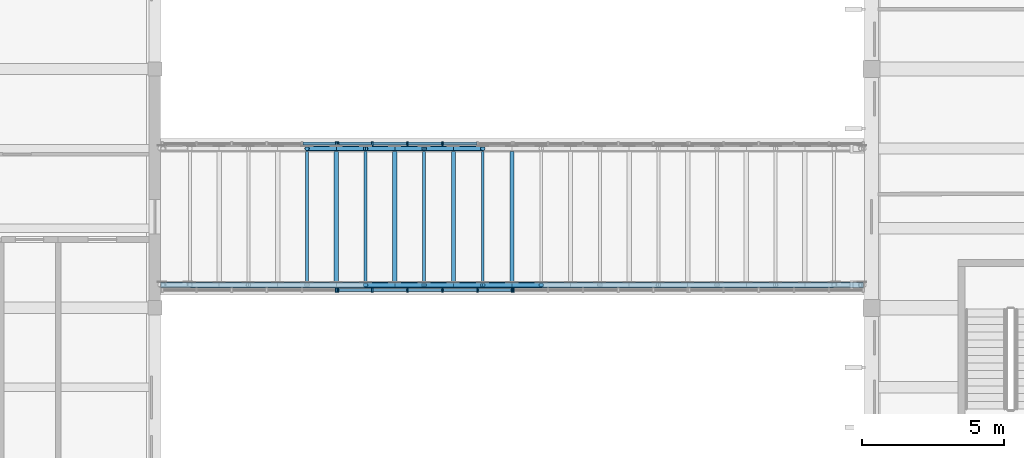
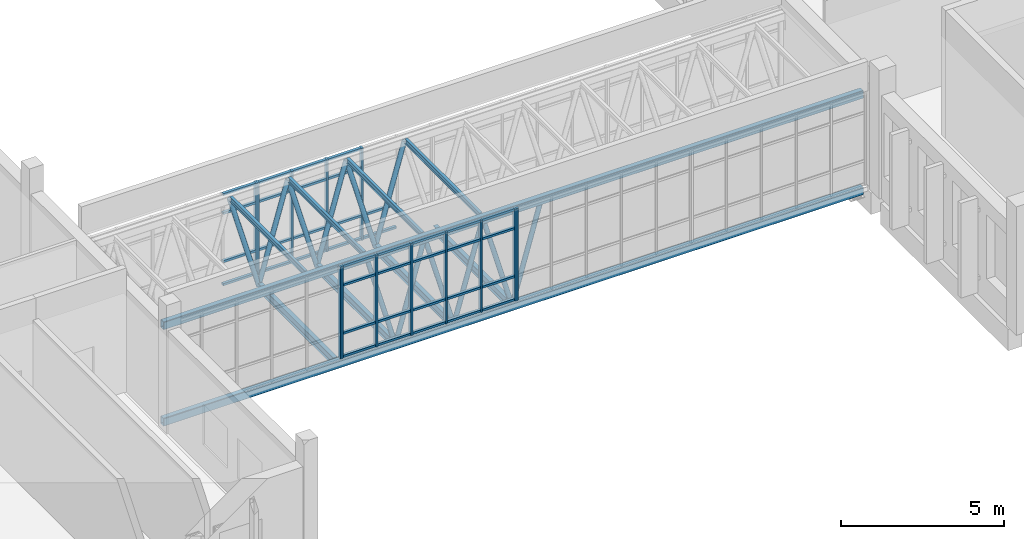
# One storey, part 11 of 119: 65 members, 8 beams, 5 elements without a shape of their own.
"""IFC4 building model written with IfcOpenShell, lengths in metres."""

from ifc_helpers import new_model, si_unit, direction, frame, origin, origin_2d, place, context, subcontext, project, spatial, rectangle, hollow_rectangle, hollow_circle, i_section, extrude, material, layer, layer_set, material_profile, profile_set, type_object, element, aggregate, save


model = new_model("IFC4")

# Units and contexts
model_context = context("Model", 3, precision=1e-05, world=origin(), true_north=direction((0.0, 1.0)))
body_context = subcontext(model_context, "Body", "Model", "MODEL_VIEW")
ifc_project = project(units=[si_unit("LENGTHUNIT", "METRE"), si_unit("AREAUNIT", "SQUARE_METRE"), si_unit("VOLUMEUNIT", "CUBIC_METRE"), si_unit("PLANEANGLEUNIT", "RADIAN"), si_unit("MASSUNIT", "GRAM", prefix="KILO")], contexts=[model_context])

# Site, building, storey
site_placement = place(None, origin())
site = spatial("IfcSite", under=ifc_project, at=site_placement, CompositionType="ELEMENT")
building_placement = place(site_placement, origin())
building = spatial("IfcBuilding", under=site, at=building_placement, Name="Larchfold Concert Hall", CompositionType="ELEMENT")
storey_placement = place(building_placement, frame((0.0, 0.0, 4.800048828125)))
storey = spatial("IfcBuildingStorey", under=building, at=storey_placement, Name="L01", CompositionType="ELEMENT", Elevation=4.800048828125)

# Curtain wall, member
ifc_material_1 = material(Name="Anodised graphite aluminium curtain wall", Category="aluminium")
ifc_layer = layer(ifc_material_1, 0.14990234375)
ifc_layer_set = layer_set([ifc_layer], Name="Anodised graphite aluminium curtain wall")
curtain_wall_type = type_object("IfcCurtainWallType", Name="Curtain wall WG", PredefinedType="NOTDEFINED", material=ifc_layer_set)
curtain_wall_1_placement = place(storey_placement, origin())
curtain_wall_1 = element("IfcCurtainWall", 1, at=curtain_wall_1_placement, inside=storey, type_object=curtain_wall_type, Name="Curtain wall CW0303", PredefinedType="NOTDEFINED")
ifc_material_2 = material(Name="Anodised graphite aluminium mullion", Category="aluminium")
ifc_material_profile_1 = material_profile(ifc_material_2, rectangle(XDim=0.14990234375, YDim=0.06005859375, at=origin_2d()))
ifc_profile_set_1 = profile_set([ifc_material_profile_1], Name="Anodised graphite aluminium mullion")
member_type_1 = type_object("IfcMemberType", Name="Aluminium mullion 60x150", PredefinedType="MULLION", material=ifc_profile_set_1)
member_1_placement = place(storey_placement, frame((65.778564453125, 9.626708984375, 0.0), z_axis=(0.0, 0.0, 1.0), x_axis=(0.0, 1.0, 0.0)))
member_1 = element("IfcMember", 2, at=member_1_placement, type_object=member_type_1, Name="CW0303 mullion 6", PredefinedType="MULLION", context=body_context, shape_type="SweptSolid", body=[
    extrude(rectangle(XDim=0.14990234375, YDim=0.06005859375, at=origin_2d()), origin(), (0.0, 0.0, 1.0), 3.43994140625),
])
aggregate(curtain_wall_1, [member_1])

# Curtain wall, members
curtain_wall_2_placement = place(storey_placement, origin())
curtain_wall_2 = element("IfcCurtainWall", 3, at=curtain_wall_2_placement, inside=storey, type_object=curtain_wall_type, Name="Curtain wall CW0304", PredefinedType="NOTDEFINED")
member_2_placement = place(storey_placement, frame((65.838623046875, 9.626708984375, 0.0), z_axis=(0.0, 0.0, 1.0), x_axis=(0.0, 1.0, 0.0)))
member_2 = element("IfcMember", 4, at=member_2_placement, type_object=member_type_1, Name="CW0304 mullion 1", PredefinedType="MULLION", context=body_context, shape_type="SweptSolid", body=[
    extrude(rectangle(XDim=0.14990234375, YDim=0.06005859375, at=origin_2d()), origin(), (0.0, 0.0, 1.0), 3.43994140625),
])
member_3_placement = place(storey_placement, frame((67.04443359375, 9.626708984375, 0.0), z_axis=(0.0, 0.0, 1.0), x_axis=(0.0, 1.0, 0.0)))
member_3 = element("IfcMember", 5, at=member_3_placement, type_object=member_type_1, Name="CW0304 mullion 2", PredefinedType="MULLION", context=body_context, shape_type="SweptSolid", body=[
    extrude(rectangle(XDim=0.14990234375, YDim=0.06005859375, at=origin_2d()), origin(), (0.0, 0.0, 1.0), 3.43994140625),
])
member_4_placement = place(storey_placement, frame((68.280029296875, 9.626708984375, 0.0), z_axis=(0.0, 0.0, 1.0), x_axis=(0.0, 1.0, 0.0)))
member_4 = element("IfcMember", 6, at=member_4_placement, type_object=member_type_1, Name="CW0304 mullion 3", PredefinedType="MULLION", context=body_context, shape_type="SweptSolid", body=[
    extrude(rectangle(XDim=0.14990234375, YDim=0.06005859375, at=origin_2d()), origin(), (0.0, 0.0, 1.0), 3.43994140625),
])
member_5_placement = place(storey_placement, frame((69.515869140625, 9.626708984375, 0.0), z_axis=(0.0, 0.0, 1.0), x_axis=(0.0, 1.0, 0.0)))
member_5 = element("IfcMember", 7, at=member_5_placement, type_object=member_type_1, Name="CW0304 mullion 4", PredefinedType="MULLION", context=body_context, shape_type="SweptSolid", body=[
    extrude(rectangle(XDim=0.14990234375, YDim=0.06005859375, at=origin_2d()), origin(), (0.0, 0.0, 1.0), 3.43994140625),
])
member_6_placement = place(storey_placement, frame((70.75146484375, 9.626708984375, 0.0), z_axis=(0.0, 0.0, 1.0), x_axis=(0.0, 1.0, 0.0)))
member_6 = element("IfcMember", 8, at=member_6_placement, type_object=member_type_1, Name="CW0304 mullion 5", PredefinedType="MULLION", context=body_context, shape_type="SweptSolid", body=[
    extrude(rectangle(XDim=0.14990234375, YDim=0.06005859375, at=origin_2d()), origin(), (0.0, 0.0, 1.0), 3.43994140625),
])
member_7_placement = place(storey_placement, frame((71.957275390625, 9.626708984375, 0.0), z_axis=(0.0, 0.0, 1.0), x_axis=(0.0, 1.0, 0.0)))
member_7 = element("IfcMember", 9, at=member_7_placement, type_object=member_type_1, Name="CW0304 mullion 6", PredefinedType="MULLION", context=body_context, shape_type="SweptSolid", body=[
    extrude(rectangle(XDim=0.14990234375, YDim=0.06005859375, at=origin_2d()), origin(), (0.0, 0.0, 1.0), 3.43994140625),
])

# Curtain wall, member
curtain_wall_3_placement = place(storey_placement, origin())
curtain_wall_3 = element("IfcCurtainWall", 10, at=curtain_wall_3_placement, inside=storey, type_object=curtain_wall_type, Name="Curtain wall CW0305", PredefinedType="NOTDEFINED")
member_8_placement = place(storey_placement, frame((72.017333984375, 9.626708984375, 0.0), z_axis=(0.0, 0.0, 1.0), x_axis=(0.0, 1.0, 0.0)))
member_8 = element("IfcMember", 11, at=member_8_placement, type_object=member_type_1, Name="CW0305 mullion 1", PredefinedType="MULLION", context=body_context, shape_type="SweptSolid", body=[
    extrude(rectangle(XDim=0.14990234375, YDim=0.06005859375, at=origin_2d()), origin(), (0.0, 0.0, 1.0), 3.43994140625),
])
aggregate(curtain_wall_3, [member_8])

curtain_wall_4_placement = place(storey_placement, origin())
curtain_wall_4 = element("IfcCurtainWall", 12, at=curtain_wall_4_placement, inside=storey, type_object=curtain_wall_type, Name="Curtain wall CW0307", PredefinedType="NOTDEFINED")
member_9_placement = place(storey_placement, frame((65.778564453125, 14.7734375, 0.0), z_axis=(0.0, 0.0, 1.0), x_axis=(0.0, 1.0, 0.0)))
member_9 = element("IfcMember", 13, at=member_9_placement, type_object=member_type_1, Name="CW0307 mullion 6", PredefinedType="MULLION", context=body_context, shape_type="SweptSolid", body=[
    extrude(rectangle(XDim=0.14990234375, YDim=0.06005859375, at=origin_2d()), origin(), (0.0, 0.0, 1.0), 3.43994140625),
])

# Curtain wall, members
curtain_wall_5_placement = place(storey_placement, origin())
curtain_wall_5 = element("IfcCurtainWall", 14, at=curtain_wall_5_placement, inside=storey, type_object=curtain_wall_type, Name="Curtain wall CW0308", PredefinedType="NOTDEFINED")
member_10_placement = place(storey_placement, frame((65.838623046875, 14.7734375, 0.0), z_axis=(0.0, 0.0, 1.0), x_axis=(0.0, 1.0, 0.0)))
member_10 = element("IfcMember", 15, at=member_10_placement, type_object=member_type_1, Name="CW0308 mullion 1", PredefinedType="MULLION", context=body_context, shape_type="SweptSolid", body=[
    extrude(rectangle(XDim=0.14990234375, YDim=0.06005859375, at=origin_2d()), origin(), (0.0, 0.0, 1.0), 3.43994140625),
])
member_11_placement = place(storey_placement, frame((67.04443359375, 14.7734375, 0.0), z_axis=(0.0, 0.0, 1.0), x_axis=(0.0, 1.0, 0.0)))
member_11 = element("IfcMember", 16, at=member_11_placement, type_object=member_type_1, Name="CW0308 mullion 2", PredefinedType="MULLION", context=body_context, shape_type="SweptSolid", body=[
    extrude(rectangle(XDim=0.14990234375, YDim=0.06005859375, at=origin_2d()), origin(), (0.0, 0.0, 1.0), 3.43994140625),
])
member_12_placement = place(storey_placement, frame((68.280029296875, 14.7734375, 0.0), z_axis=(0.0, 0.0, 1.0), x_axis=(0.0, 1.0, 0.0)))
member_12 = element("IfcMember", 17, at=member_12_placement, type_object=member_type_1, Name="CW0308 mullion 3", PredefinedType="MULLION", context=body_context, shape_type="SweptSolid", body=[
    extrude(rectangle(XDim=0.14990234375, YDim=0.06005859375, at=origin_2d()), origin(), (0.0, 0.0, 1.0), 3.43994140625),
])
member_13_placement = place(storey_placement, frame((69.515869140625, 14.7734375, 0.0), z_axis=(0.0, 0.0, 1.0), x_axis=(0.0, 1.0, 0.0)))
member_13 = element("IfcMember", 18, at=member_13_placement, type_object=member_type_1, Name="CW0308 mullion 4", PredefinedType="MULLION", context=body_context, shape_type="SweptSolid", body=[
    extrude(rectangle(XDim=0.14990234375, YDim=0.06005859375, at=origin_2d()), origin(), (0.0, 0.0, 1.0), 3.43994140625),
])

# Member
ifc_material_3 = material(Name="Anodised graphite aluminium transom", Category="aluminium")
ifc_material_profile_2 = material_profile(ifc_material_3, rectangle(XDim=0.10009765625, YDim=0.080078125, at=origin_2d()))
ifc_profile_set_2 = profile_set([ifc_material_profile_2], Name="Anodised graphite aluminium transom")
member_type_2 = type_object("IfcMemberType", Name="Aluminium transom 80x100", PredefinedType="USERDEFINED", material=ifc_profile_set_2)
member_14_placement = place(storey_placement, frame((65.86865234375, 9.626708984375, 0.0400390625), z_axis=(1.0, 0.0, 0.0), x_axis=(0.0, 1.0, 0.0)))
member_14 = element("IfcMember", 19, at=member_14_placement, type_object=member_type_2, Name="CW0304 transom 1.1", ObjectType="TRANSOM", PredefinedType="USERDEFINED", context=body_context, shape_type="SweptSolid", body=[
    extrude(rectangle(XDim=0.10009765625, YDim=0.080078125, at=origin_2d()), origin(), (0.0, 0.0, 1.0), 1.145751953125),
])

member_15_placement = place(storey_placement, frame((65.86865234375, 9.626708984375, 0.89990234375), z_axis=(1.0, 0.0, 0.0), x_axis=(0.0, 1.0, 0.0)))
member_15 = element("IfcMember", 20, at=member_15_placement, type_object=member_type_2, Name="CW0304 transom 1.2", ObjectType="TRANSOM", PredefinedType="USERDEFINED", context=body_context, shape_type="SweptSolid", body=[
    extrude(rectangle(XDim=0.10009765625, YDim=0.080078125, at=origin_2d()), origin(), (0.0, 0.0, 1.0), 1.145751953125),
])

member_16_placement = place(storey_placement, frame((65.86865234375, 9.626708984375, 2.699951171875), z_axis=(1.0, 0.0, 0.0), x_axis=(0.0, 1.0, 0.0)))
member_16 = element("IfcMember", 21, at=member_16_placement, type_object=member_type_2, Name="CW0304 transom 1.3", ObjectType="TRANSOM", PredefinedType="USERDEFINED", context=body_context, shape_type="SweptSolid", body=[
    extrude(rectangle(XDim=0.10009765625, YDim=0.080078125, at=origin_2d()), origin(), (0.0, 0.0, 1.0), 1.145751953125),
])

member_17_placement = place(storey_placement, frame((65.86865234375, 9.626708984375, 3.39990234375), z_axis=(1.0, 0.0, 0.0), x_axis=(0.0, 1.0, 0.0)))
member_17 = element("IfcMember", 22, at=member_17_placement, type_object=member_type_2, Name="CW0304 transom 1.4", ObjectType="TRANSOM", PredefinedType="USERDEFINED", context=body_context, shape_type="SweptSolid", body=[
    extrude(rectangle(XDim=0.10009765625, YDim=0.080078125, at=origin_2d()), origin(), (0.0, 0.0, 1.0), 1.145751953125),
])

member_18_placement = place(storey_placement, frame((67.07421875, 9.626708984375, 0.0400390625), z_axis=(1.0, 0.0, 0.0), x_axis=(0.0, 1.0, 0.0)))
member_18 = element("IfcMember", 23, at=member_18_placement, type_object=member_type_2, Name="CW0304 transom 2.1", ObjectType="TRANSOM", PredefinedType="USERDEFINED", context=body_context, shape_type="SweptSolid", body=[
    extrude(rectangle(XDim=0.10009765625, YDim=0.080078125, at=origin_2d()), origin(), (0.0, 0.0, 1.0), 1.17578125),
])

member_19_placement = place(storey_placement, frame((67.07421875, 9.626708984375, 0.89990234375), z_axis=(1.0, 0.0, 0.0), x_axis=(0.0, 1.0, 0.0)))
member_19 = element("IfcMember", 24, at=member_19_placement, type_object=member_type_2, Name="CW0304 transom 2.2", ObjectType="TRANSOM", PredefinedType="USERDEFINED", context=body_context, shape_type="SweptSolid", body=[
    extrude(rectangle(XDim=0.10009765625, YDim=0.080078125, at=origin_2d()), origin(), (0.0, 0.0, 1.0), 1.17578125),
])

member_20_placement = place(storey_placement, frame((67.07421875, 9.626708984375, 2.699951171875), z_axis=(1.0, 0.0, 0.0), x_axis=(0.0, 1.0, 0.0)))
member_20 = element("IfcMember", 25, at=member_20_placement, type_object=member_type_2, Name="CW0304 transom 2.3", ObjectType="TRANSOM", PredefinedType="USERDEFINED", context=body_context, shape_type="SweptSolid", body=[
    extrude(rectangle(XDim=0.10009765625, YDim=0.080078125, at=origin_2d()), origin(), (0.0, 0.0, 1.0), 1.17578125),
])

member_21_placement = place(storey_placement, frame((67.07421875, 9.626708984375, 3.39990234375), z_axis=(1.0, 0.0, 0.0), x_axis=(0.0, 1.0, 0.0)))
member_21 = element("IfcMember", 26, at=member_21_placement, type_object=member_type_2, Name="CW0304 transom 2.4", ObjectType="TRANSOM", PredefinedType="USERDEFINED", context=body_context, shape_type="SweptSolid", body=[
    extrude(rectangle(XDim=0.10009765625, YDim=0.080078125, at=origin_2d()), origin(), (0.0, 0.0, 1.0), 1.17578125),
])

member_22_placement = place(storey_placement, frame((68.31005859375, 9.626708984375, 0.0400390625), z_axis=(1.0, 0.0, 0.0), x_axis=(0.0, 1.0, 0.0)))
member_22 = element("IfcMember", 27, at=member_22_placement, type_object=member_type_2, Name="CW0304 transom 3.1", ObjectType="TRANSOM", PredefinedType="USERDEFINED", context=body_context, shape_type="SweptSolid", body=[
    extrude(rectangle(XDim=0.10009765625, YDim=0.080078125, at=origin_2d()), origin(), (0.0, 0.0, 1.0), 1.17578125),
])

member_23_placement = place(storey_placement, frame((68.31005859375, 9.626708984375, 0.89990234375), z_axis=(1.0, 0.0, 0.0), x_axis=(0.0, 1.0, 0.0)))
member_23 = element("IfcMember", 28, at=member_23_placement, type_object=member_type_2, Name="CW0304 transom 3.2", ObjectType="TRANSOM", PredefinedType="USERDEFINED", context=body_context, shape_type="SweptSolid", body=[
    extrude(rectangle(XDim=0.10009765625, YDim=0.080078125, at=origin_2d()), origin(), (0.0, 0.0, 1.0), 1.17578125),
])

member_24_placement = place(storey_placement, frame((68.31005859375, 9.626708984375, 2.699951171875), z_axis=(1.0, 0.0, 0.0), x_axis=(0.0, 1.0, 0.0)))
member_24 = element("IfcMember", 29, at=member_24_placement, type_object=member_type_2, Name="CW0304 transom 3.3", ObjectType="TRANSOM", PredefinedType="USERDEFINED", context=body_context, shape_type="SweptSolid", body=[
    extrude(rectangle(XDim=0.10009765625, YDim=0.080078125, at=origin_2d()), origin(), (0.0, 0.0, 1.0), 1.17578125),
])

member_25_placement = place(storey_placement, frame((68.31005859375, 9.626708984375, 3.39990234375), z_axis=(1.0, 0.0, 0.0), x_axis=(0.0, 1.0, 0.0)))
member_25 = element("IfcMember", 30, at=member_25_placement, type_object=member_type_2, Name="CW0304 transom 3.4", ObjectType="TRANSOM", PredefinedType="USERDEFINED", context=body_context, shape_type="SweptSolid", body=[
    extrude(rectangle(XDim=0.10009765625, YDim=0.080078125, at=origin_2d()), origin(), (0.0, 0.0, 1.0), 1.17578125),
])

member_26_placement = place(storey_placement, frame((69.5458984375, 9.626708984375, 0.0400390625), z_axis=(1.0, 0.0, 0.0), x_axis=(0.0, 1.0, 0.0)))
member_26 = element("IfcMember", 31, at=member_26_placement, type_object=member_type_2, Name="CW0304 transom 4.1", ObjectType="TRANSOM", PredefinedType="USERDEFINED", context=body_context, shape_type="SweptSolid", body=[
    extrude(rectangle(XDim=0.10009765625, YDim=0.080078125, at=origin_2d()), origin(), (0.0, 0.0, 1.0), 1.17578125),
])

member_27_placement = place(storey_placement, frame((69.5458984375, 9.626708984375, 0.89990234375), z_axis=(1.0, 0.0, 0.0), x_axis=(0.0, 1.0, 0.0)))
member_27 = element("IfcMember", 32, at=member_27_placement, type_object=member_type_2, Name="CW0304 transom 4.2", ObjectType="TRANSOM", PredefinedType="USERDEFINED", context=body_context, shape_type="SweptSolid", body=[
    extrude(rectangle(XDim=0.10009765625, YDim=0.080078125, at=origin_2d()), origin(), (0.0, 0.0, 1.0), 1.17578125),
])

member_28_placement = place(storey_placement, frame((69.5458984375, 9.626708984375, 2.699951171875), z_axis=(1.0, 0.0, 0.0), x_axis=(0.0, 1.0, 0.0)))
member_28 = element("IfcMember", 33, at=member_28_placement, type_object=member_type_2, Name="CW0304 transom 4.3", ObjectType="TRANSOM", PredefinedType="USERDEFINED", context=body_context, shape_type="SweptSolid", body=[
    extrude(rectangle(XDim=0.10009765625, YDim=0.080078125, at=origin_2d()), origin(), (0.0, 0.0, 1.0), 1.17578125),
])

member_29_placement = place(storey_placement, frame((69.5458984375, 9.626708984375, 3.39990234375), z_axis=(1.0, 0.0, 0.0), x_axis=(0.0, 1.0, 0.0)))
member_29 = element("IfcMember", 34, at=member_29_placement, type_object=member_type_2, Name="CW0304 transom 4.4", ObjectType="TRANSOM", PredefinedType="USERDEFINED", context=body_context, shape_type="SweptSolid", body=[
    extrude(rectangle(XDim=0.10009765625, YDim=0.080078125, at=origin_2d()), origin(), (0.0, 0.0, 1.0), 1.17578125),
])

member_30_placement = place(storey_placement, frame((70.781494140625, 9.626708984375, 0.0400390625), z_axis=(1.0, 0.0, 0.0), x_axis=(0.0, 1.0, 0.0)))
member_30 = element("IfcMember", 35, at=member_30_placement, type_object=member_type_2, Name="CW0304 transom 5.1", ObjectType="TRANSOM", PredefinedType="USERDEFINED", context=body_context, shape_type="SweptSolid", body=[
    extrude(rectangle(XDim=0.10009765625, YDim=0.080078125, at=origin_2d()), origin(), (0.0, 0.0, 1.0), 1.145751953125),
])

member_31_placement = place(storey_placement, frame((70.781494140625, 9.626708984375, 0.89990234375), z_axis=(1.0, 0.0, 0.0), x_axis=(0.0, 1.0, 0.0)))
member_31 = element("IfcMember", 36, at=member_31_placement, type_object=member_type_2, Name="CW0304 transom 5.2", ObjectType="TRANSOM", PredefinedType="USERDEFINED", context=body_context, shape_type="SweptSolid", body=[
    extrude(rectangle(XDim=0.10009765625, YDim=0.080078125, at=origin_2d()), origin(), (0.0, 0.0, 1.0), 1.145751953125),
])

member_32_placement = place(storey_placement, frame((70.781494140625, 9.626708984375, 2.699951171875), z_axis=(1.0, 0.0, 0.0), x_axis=(0.0, 1.0, 0.0)))
member_32 = element("IfcMember", 37, at=member_32_placement, type_object=member_type_2, Name="CW0304 transom 5.3", ObjectType="TRANSOM", PredefinedType="USERDEFINED", context=body_context, shape_type="SweptSolid", body=[
    extrude(rectangle(XDim=0.10009765625, YDim=0.080078125, at=origin_2d()), origin(), (0.0, 0.0, 1.0), 1.145751953125),
])

member_33_placement = place(storey_placement, frame((70.781494140625, 9.626708984375, 3.39990234375), z_axis=(1.0, 0.0, 0.0), x_axis=(0.0, 1.0, 0.0)))
member_33 = element("IfcMember", 38, at=member_33_placement, type_object=member_type_2, Name="CW0304 transom 5.4", ObjectType="TRANSOM", PredefinedType="USERDEFINED", context=body_context, shape_type="SweptSolid", body=[
    extrude(rectangle(XDim=0.10009765625, YDim=0.080078125, at=origin_2d()), origin(), (0.0, 0.0, 1.0), 1.145751953125),
])

aggregate(curtain_wall_2, [member_2, member_3, member_4, member_5, member_6, member_7, member_14, member_15, member_16, member_17, member_18, member_19, member_20, member_21, member_22, member_23, member_24, member_25, member_26, member_27, member_28, member_29, member_30, member_31, member_32, member_33])

member_34_placement = place(storey_placement, frame((64.602783203125, 14.7734375, 0.0400390625), z_axis=(1.0, 0.0, 0.0), x_axis=(0.0, 1.0, 0.0)))
member_34 = element("IfcMember", 39, at=member_34_placement, type_object=member_type_2, Name="CW0307 transom 5.1", ObjectType="TRANSOM", PredefinedType="USERDEFINED", context=body_context, shape_type="SweptSolid", body=[
    extrude(rectangle(XDim=0.10009765625, YDim=0.080078125, at=origin_2d()), origin(), (0.0, 0.0, 1.0), 1.145751953125),
])

member_35_placement = place(storey_placement, frame((64.602783203125, 14.7734375, 0.89990234375), z_axis=(1.0, 0.0, 0.0), x_axis=(0.0, 1.0, 0.0)))
member_35 = element("IfcMember", 40, at=member_35_placement, type_object=member_type_2, Name="CW0307 transom 5.2", ObjectType="TRANSOM", PredefinedType="USERDEFINED", context=body_context, shape_type="SweptSolid", body=[
    extrude(rectangle(XDim=0.10009765625, YDim=0.080078125, at=origin_2d()), origin(), (0.0, 0.0, 1.0), 1.145751953125),
])

member_36_placement = place(storey_placement, frame((64.602783203125, 14.7734375, 2.699951171875), z_axis=(1.0, 0.0, 0.0), x_axis=(0.0, 1.0, 0.0)))
member_36 = element("IfcMember", 41, at=member_36_placement, type_object=member_type_2, Name="CW0307 transom 5.3", ObjectType="TRANSOM", PredefinedType="USERDEFINED", context=body_context, shape_type="SweptSolid", body=[
    extrude(rectangle(XDim=0.10009765625, YDim=0.080078125, at=origin_2d()), origin(), (0.0, 0.0, 1.0), 1.145751953125),
])

member_37_placement = place(storey_placement, frame((64.602783203125, 14.7734375, 3.39990234375), z_axis=(1.0, 0.0, 0.0), x_axis=(0.0, 1.0, 0.0)))
member_37 = element("IfcMember", 42, at=member_37_placement, type_object=member_type_2, Name="CW0307 transom 5.4", ObjectType="TRANSOM", PredefinedType="USERDEFINED", context=body_context, shape_type="SweptSolid", body=[
    extrude(rectangle(XDim=0.10009765625, YDim=0.080078125, at=origin_2d()), origin(), (0.0, 0.0, 1.0), 1.145751953125),
])

aggregate(curtain_wall_4, [member_9, member_34, member_35, member_36, member_37])

member_38_placement = place(storey_placement, frame((65.86865234375, 14.7734375, 0.0400390625), z_axis=(1.0, 0.0, 0.0), x_axis=(0.0, 1.0, 0.0)))
member_38 = element("IfcMember", 43, at=member_38_placement, type_object=member_type_2, Name="CW0308 transom 1.1", ObjectType="TRANSOM", PredefinedType="USERDEFINED", context=body_context, shape_type="SweptSolid", body=[
    extrude(rectangle(XDim=0.10009765625, YDim=0.080078125, at=origin_2d()), origin(), (0.0, 0.0, 1.0), 1.145751953125),
])

member_39_placement = place(storey_placement, frame((65.86865234375, 14.7734375, 0.89990234375), z_axis=(1.0, 0.0, 0.0), x_axis=(0.0, 1.0, 0.0)))
member_39 = element("IfcMember", 44, at=member_39_placement, type_object=member_type_2, Name="CW0308 transom 1.2", ObjectType="TRANSOM", PredefinedType="USERDEFINED", context=body_context, shape_type="SweptSolid", body=[
    extrude(rectangle(XDim=0.10009765625, YDim=0.080078125, at=origin_2d()), origin(), (0.0, 0.0, 1.0), 1.145751953125),
])

member_40_placement = place(storey_placement, frame((65.86865234375, 14.7734375, 2.699951171875), z_axis=(1.0, 0.0, 0.0), x_axis=(0.0, 1.0, 0.0)))
member_40 = element("IfcMember", 45, at=member_40_placement, type_object=member_type_2, Name="CW0308 transom 1.3", ObjectType="TRANSOM", PredefinedType="USERDEFINED", context=body_context, shape_type="SweptSolid", body=[
    extrude(rectangle(XDim=0.10009765625, YDim=0.080078125, at=origin_2d()), origin(), (0.0, 0.0, 1.0), 1.145751953125),
])

member_41_placement = place(storey_placement, frame((65.86865234375, 14.7734375, 3.39990234375), z_axis=(1.0, 0.0, 0.0), x_axis=(0.0, 1.0, 0.0)))
member_41 = element("IfcMember", 46, at=member_41_placement, type_object=member_type_2, Name="CW0308 transom 1.4", ObjectType="TRANSOM", PredefinedType="USERDEFINED", context=body_context, shape_type="SweptSolid", body=[
    extrude(rectangle(XDim=0.10009765625, YDim=0.080078125, at=origin_2d()), origin(), (0.0, 0.0, 1.0), 1.145751953125),
])

member_42_placement = place(storey_placement, frame((67.07421875, 14.7734375, 0.0400390625), z_axis=(1.0, 0.0, 0.0), x_axis=(0.0, 1.0, 0.0)))
member_42 = element("IfcMember", 47, at=member_42_placement, type_object=member_type_2, Name="CW0308 transom 2.1", ObjectType="TRANSOM", PredefinedType="USERDEFINED", context=body_context, shape_type="SweptSolid", body=[
    extrude(rectangle(XDim=0.10009765625, YDim=0.080078125, at=origin_2d()), origin(), (0.0, 0.0, 1.0), 1.17578125),
])

member_43_placement = place(storey_placement, frame((67.07421875, 14.7734375, 0.89990234375), z_axis=(1.0, 0.0, 0.0), x_axis=(0.0, 1.0, 0.0)))
member_43 = element("IfcMember", 48, at=member_43_placement, type_object=member_type_2, Name="CW0308 transom 2.2", ObjectType="TRANSOM", PredefinedType="USERDEFINED", context=body_context, shape_type="SweptSolid", body=[
    extrude(rectangle(XDim=0.10009765625, YDim=0.080078125, at=origin_2d()), origin(), (0.0, 0.0, 1.0), 1.17578125),
])

member_44_placement = place(storey_placement, frame((67.07421875, 14.7734375, 2.699951171875), z_axis=(1.0, 0.0, 0.0), x_axis=(0.0, 1.0, 0.0)))
member_44 = element("IfcMember", 49, at=member_44_placement, type_object=member_type_2, Name="CW0308 transom 2.3", ObjectType="TRANSOM", PredefinedType="USERDEFINED", context=body_context, shape_type="SweptSolid", body=[
    extrude(rectangle(XDim=0.10009765625, YDim=0.080078125, at=origin_2d()), origin(), (0.0, 0.0, 1.0), 1.17578125),
])

member_45_placement = place(storey_placement, frame((67.07421875, 14.7734375, 3.39990234375), z_axis=(1.0, 0.0, 0.0), x_axis=(0.0, 1.0, 0.0)))
member_45 = element("IfcMember", 50, at=member_45_placement, type_object=member_type_2, Name="CW0308 transom 2.4", ObjectType="TRANSOM", PredefinedType="USERDEFINED", context=body_context, shape_type="SweptSolid", body=[
    extrude(rectangle(XDim=0.10009765625, YDim=0.080078125, at=origin_2d()), origin(), (0.0, 0.0, 1.0), 1.17578125),
])

member_46_placement = place(storey_placement, frame((68.31005859375, 14.7734375, 0.0400390625), z_axis=(1.0, 0.0, 0.0), x_axis=(0.0, 1.0, 0.0)))
member_46 = element("IfcMember", 51, at=member_46_placement, type_object=member_type_2, Name="CW0308 transom 3.1", ObjectType="TRANSOM", PredefinedType="USERDEFINED", context=body_context, shape_type="SweptSolid", body=[
    extrude(rectangle(XDim=0.10009765625, YDim=0.080078125, at=origin_2d()), origin(), (0.0, 0.0, 1.0), 1.17578125),
])

member_47_placement = place(storey_placement, frame((68.31005859375, 14.7734375, 0.89990234375), z_axis=(1.0, 0.0, 0.0), x_axis=(0.0, 1.0, 0.0)))
member_47 = element("IfcMember", 52, at=member_47_placement, type_object=member_type_2, Name="CW0308 transom 3.2", ObjectType="TRANSOM", PredefinedType="USERDEFINED", context=body_context, shape_type="SweptSolid", body=[
    extrude(rectangle(XDim=0.10009765625, YDim=0.080078125, at=origin_2d()), origin(), (0.0, 0.0, 1.0), 1.17578125),
])

member_48_placement = place(storey_placement, frame((68.31005859375, 14.7734375, 2.699951171875), z_axis=(1.0, 0.0, 0.0), x_axis=(0.0, 1.0, 0.0)))
member_48 = element("IfcMember", 53, at=member_48_placement, type_object=member_type_2, Name="CW0308 transom 3.3", ObjectType="TRANSOM", PredefinedType="USERDEFINED", context=body_context, shape_type="SweptSolid", body=[
    extrude(rectangle(XDim=0.10009765625, YDim=0.080078125, at=origin_2d()), origin(), (0.0, 0.0, 1.0), 1.17578125),
])

member_49_placement = place(storey_placement, frame((68.31005859375, 14.7734375, 3.39990234375), z_axis=(1.0, 0.0, 0.0), x_axis=(0.0, 1.0, 0.0)))
member_49 = element("IfcMember", 54, at=member_49_placement, type_object=member_type_2, Name="CW0308 transom 3.4", ObjectType="TRANSOM", PredefinedType="USERDEFINED", context=body_context, shape_type="SweptSolid", body=[
    extrude(rectangle(XDim=0.10009765625, YDim=0.080078125, at=origin_2d()), origin(), (0.0, 0.0, 1.0), 1.17578125),
])

member_50_placement = place(storey_placement, frame((69.5458984375, 14.7734375, 0.0400390625), z_axis=(1.0, 0.0, 0.0), x_axis=(0.0, 1.0, 0.0)))
member_50 = element("IfcMember", 55, at=member_50_placement, type_object=member_type_2, Name="CW0308 transom 4.1", ObjectType="TRANSOM", PredefinedType="USERDEFINED", context=body_context, shape_type="SweptSolid", body=[
    extrude(rectangle(XDim=0.10009765625, YDim=0.080078125, at=origin_2d()), origin(), (0.0, 0.0, 1.0), 1.17578125),
])

member_51_placement = place(storey_placement, frame((69.5458984375, 14.7734375, 0.89990234375), z_axis=(1.0, 0.0, 0.0), x_axis=(0.0, 1.0, 0.0)))
member_51 = element("IfcMember", 56, at=member_51_placement, type_object=member_type_2, Name="CW0308 transom 4.2", ObjectType="TRANSOM", PredefinedType="USERDEFINED", context=body_context, shape_type="SweptSolid", body=[
    extrude(rectangle(XDim=0.10009765625, YDim=0.080078125, at=origin_2d()), origin(), (0.0, 0.0, 1.0), 1.17578125),
])

aggregate(curtain_wall_5, [member_10, member_11, member_12, member_13, member_38, member_39, member_40, member_41, member_42, member_43, member_44, member_45, member_46, member_47, member_48, member_49, member_50, member_51])

# Beams
ifc_material_4 = material(Name="Steel S355", Category="steel")
ifc_material_profile_3 = material_profile(ifc_material_4, i_section(OverallWidth=0.10009765625, OverallDepth=0.199951171875, WebThickness=0.005615234375, FlangeThickness=0.008544921875, FilletRadius=0.011962890625, at=origin_2d()))
ifc_profile_set_3 = profile_set([ifc_material_profile_3], Name="Steel S355")
beam_type_1 = type_object("IfcBeamType", Name="Beam IPE 200", PredefinedType="BEAM", material=ifc_profile_set_3)
for number, where, z_axis, x_axis, name in (
    (57, (64.75, 9.89990234375, 3.33984375), (0.0, 1.0, 0.0), (-1.0, 0.0, 0.0), "Beam LBR03"),
    (58, (66.809814453125, 9.89990234375, 3.33984375), (0.0, 1.0, 0.0), (-1.0, 0.0, 0.0), "Beam LBR04"),
    (59, (68.869873046875, 9.89990234375, 3.33984375), (0.0, 1.0, 0.0), (-1.0, 0.0, 0.0), "Beam LBR05"),
    (60, (70.929931640625, 9.89990234375, 3.33984375), (0.0, 1.0, 0.0), (-1.0, 0.0, 0.0), "Beam LBR06"),
):
    element("IfcBeam", number, at=place(storey_placement, frame(where, z_axis=z_axis, x_axis=x_axis)), inside=storey, type_object=beam_type_1, Name=name, PredefinedType="BEAM", context=body_context, shape_type="SweptSolid", body=[
        extrude(i_section(OverallWidth=0.10009765625, OverallDepth=0.199951171875, WebThickness=0.005615234375, FlangeThickness=0.008544921875, FilletRadius=0.011962890625, at=origin_2d()), origin(), (0.0, 0.0, 1.0), 4.60009765625),
    ])
ifc_material_5 = material(Name="Steel S355", Category="steel")
ifc_material_profile_4 = material_profile(ifc_material_5, i_section(OverallWidth=0.14990234375, OverallDepth=0.300048828125, WebThickness=0.007080078125, FlangeThickness=0.0107421875, FilletRadius=0.014892578125, at=origin_2d()))
ifc_profile_set_4 = profile_set([ifc_material_profile_4], Name="Steel S355")
beam_type_2 = type_object("IfcBeamType", Name="Beam IPE 300", PredefinedType="BEAM", material=ifc_profile_set_4)
for number, where, z_axis, x_axis, name in (
    (61, (65.77978515625, 9.89990234375, -0.31005859375), (0.0, 1.0, 0.0), (-1.0, 0.0, 0.0), "Beam LBF03"),
    (62, (67.83984375, 9.89990234375, -0.31005859375), (0.0, 1.0, 0.0), (-1.0, 0.0, 0.0), "Beam LBF04"),
    (63, (69.89990234375, 9.89990234375, -0.31005859375), (0.0, 1.0, 0.0), (-1.0, 0.0, 0.0), "Beam LBF05"),
    (64, (71.9599609375, 9.89990234375, -0.31005859375), (0.0, 1.0, 0.0), (-1.0, 0.0, 0.0), "Beam LBF06"),
):
    element("IfcBeam", number, at=place(storey_placement, frame(where, z_axis=z_axis, x_axis=x_axis)), inside=storey, type_object=beam_type_2, Name=name, PredefinedType="BEAM", context=body_context, shape_type="SweptSolid", body=[
        extrude(i_section(OverallWidth=0.14990234375, OverallDepth=0.300048828125, WebThickness=0.007080078125, FlangeThickness=0.0107421875, FilletRadius=0.014892578125, at=origin_2d()), origin(), (0.0, 0.0, 1.0), 4.60009765625),
    ])

# Members
ifc_material_6 = material(Name="Steel S355J2H", Category="steel")
ifc_material_profile_5 = material_profile(ifc_material_6, hollow_rectangle(XDim=0.199951171875, YDim=0.300048828125, WallThickness=0.012451171875, InnerFilletRadius=0.018798828125, OuterFilletRadius=0.03125, at=origin_2d()))
ifc_profile_set_5 = profile_set([ifc_material_profile_5], Name="Steel S355J2H")
member_type_3 = type_object("IfcMemberType", Name="Link truss chord RHS 300x200x12.5", PredefinedType="CHORD", material=ifc_profile_set_5)
for number, where, z_axis, x_axis, name in (
    (65, (59.599853515625, 9.800048828125, -0.31005859375), (1.0, 0.0, 0.0), (0.0, 1.0, 0.0), "Member LB1B01"),
    (66, (59.599853515625, 9.800048828125, 3.2900390625), (1.0, 0.0, 0.0), (0.0, 1.0, 0.0), "Member LB1T01"),
):
    element("IfcMember", number, at=place(storey_placement, frame(where, z_axis=z_axis, x_axis=x_axis)), inside=storey, type_object=member_type_3, Name=name, PredefinedType="CHORD", context=body_context, shape_type="SweptSolid", body=[
        extrude(hollow_rectangle(XDim=0.199951171875, YDim=0.300048828125, WallThickness=0.012451171875, InnerFilletRadius=0.018798828125, OuterFilletRadius=0.03125, at=origin_2d()), origin(), (0.0, 0.0, 1.0), 24.72021484375),
    ])
ifc_material_7 = material(Name="Steel S355J2H", Category="steel")
ifc_material_profile_6 = material_profile(ifc_material_7, hollow_circle(Radius=0.084228515625, WallThickness=0.008056640625, at=origin_2d()))
ifc_profile_set_6 = profile_set([ifc_material_profile_6], Name="Steel S355J2H")
member_type_4 = type_object("IfcMemberType", Name="Link truss web CHS 168.3x8", PredefinedType="BRACE", material=ifc_profile_set_6)
for number, where, z_axis, x_axis, name in (
    (67, (66.809814453125, 9.800048828125, 3.2900390625), (0.275074167583, 0.0, -0.961423009049), (0.0, 1.0, 0.0), "Member LB1D08"),
    (68, (67.83984375, 9.800048828125, -0.31005859375), (0.275074167583, 0.0, 0.961423009049), (0.0, 1.0, 0.0), "Member LB1D09"),
    (69, (68.869873046875, 9.800048828125, 3.2900390625), (0.275074167583, 0.0, -0.961423009049), (0.0, 1.0, 0.0), "Member LB1D10"),
    (70, (69.89990234375, 9.800048828125, -0.31005859375), (0.275074167583, 0.0, 0.961423009049), (0.0, 1.0, 0.0), "Member LB1D11"),
    (71, (70.929931640625, 9.800048828125, 3.2900390625), (0.275074167583, 0.0, -0.961423009049), (0.0, 1.0, 0.0), "Member LB1D12"),
    (72, (71.9599609375, 9.800048828125, -0.31005859375), (0.275074167583, 0.0, 0.961423009049), (0.0, 1.0, 0.0), "Member LB1D13"),
):
    element("IfcMember", number, at=place(storey_placement, frame(where, z_axis=z_axis, x_axis=x_axis)), inside=storey, type_object=member_type_4, Name=name, PredefinedType="BRACE", context=body_context, shape_type="SweptSolid", body=[
        extrude(hollow_circle(Radius=0.084228515625, WallThickness=0.008056640625, at=origin_2d()), origin(), (0.0, 0.0, 1.0), 3.74462890625),
    ])
member_52_placement = place(storey_placement, frame((64.75, 14.60009765625, 3.2900390625), z_axis=(0.275013900387, 0.0, -0.961440250143), x_axis=(0.0, 1.0, 0.0)))
element("IfcMember", 73, at=member_52_placement, inside=storey, type_object=member_type_4, Name="Member LB2D06", PredefinedType="BRACE", context=body_context, shape_type="SweptSolid", body=[
    extrude(hollow_circle(Radius=0.084228515625, WallThickness=0.008056640625, at=origin_2d()), origin(), (0.0, 0.0, 1.0), 3.744384765625),
])
for number, where, z_axis, x_axis, name in (
    (74, (65.77978515625, 14.60009765625, -0.31005859375), (0.275074167583, 0.0, 0.961423009049), (0.0, 1.0, 0.0), "Member LB2D07"),
    (75, (66.809814453125, 14.60009765625, 3.2900390625), (0.275074167583, 0.0, -0.961423009049), (0.0, 1.0, 0.0), "Member LB2D08"),
    (76, (67.83984375, 14.60009765625, -0.31005859375), (0.275074167583, 0.0, 0.961423009049), (0.0, 1.0, 0.0), "Member LB2D09"),
    (77, (68.869873046875, 14.60009765625, 3.2900390625), (0.275074167583, 0.0, -0.961423009049), (0.0, 1.0, 0.0), "Member LB2D10"),
    (78, (69.89990234375, 14.60009765625, -0.31005859375), (0.275074167583, 0.0, 0.961423009049), (0.0, 1.0, 0.0), "Member LB2D11"),
):
    element("IfcMember", number, at=place(storey_placement, frame(where, z_axis=z_axis, x_axis=x_axis)), inside=storey, type_object=member_type_4, Name=name, PredefinedType="BRACE", context=body_context, shape_type="SweptSolid", body=[
        extrude(hollow_circle(Radius=0.084228515625, WallThickness=0.008056640625, at=origin_2d()), origin(), (0.0, 0.0, 1.0), 3.74462890625),
    ])

save(model, "model.ifc")
